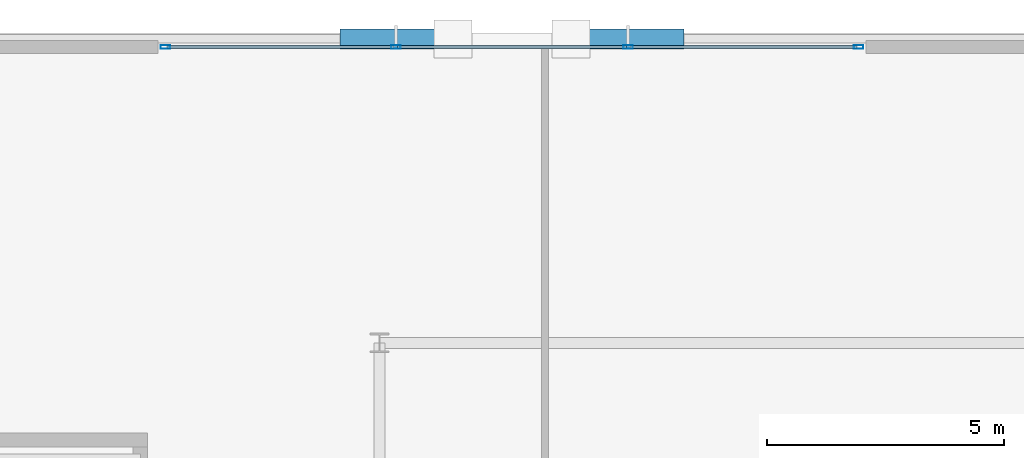
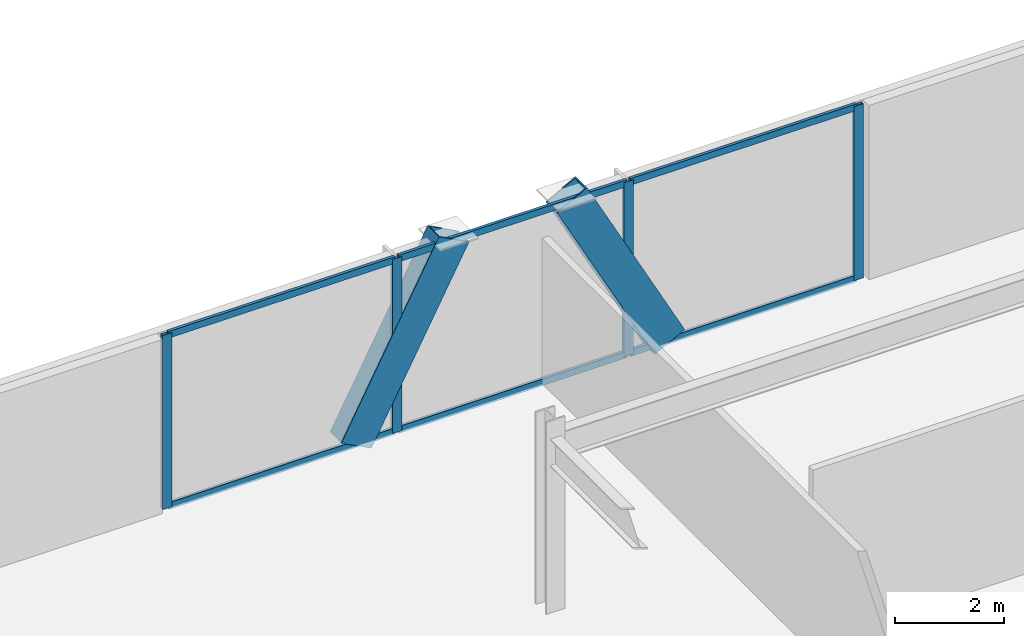
# One storey, part 28 of 46: 12 members, 1 element without a shape of its own.
"""IFC4 building model written with IfcOpenShell, lengths in metres."""

import ifcopenshell
import ifcopenshell.guid

model = None  # the IFC model being written
_history = None  # IfcOwnerHistory: only IFC2X3 demands one
_inside = {}  # id of a spatial element -> (the spatial element, [elements in it])
_under = {}  # id of a project, library or spatial element -> (it, [spatial elements below it])
_declared = {}  # id of a project -> (the project, [libraries it declares])
_typed = {}  # id of a type object -> (the type object, [elements of that type])
_made_of = {}  # id of a material, layer set ... -> (it, [elements and type objects made of it])


def new_model(schema):
    """Start an empty IFC model of exactly this schema.

    Asked for "IFC4X3", IfcOpenShell would pick the latest addendum, in which some entities
    have other attributes; the version numbers below select the first issue.
    IFC2X3 requires an IfcOwnerHistory on every rooted entity: one is made here for all.
    """
    global model, _history
    if schema == "IFC4X3":
        model = ifcopenshell.file(schema_version=(4, 3, 0, 0))
    else:
        model = ifcopenshell.file(schema=schema)
    _inside.clear()
    _under.clear()
    _declared.clear()
    _typed.clear()
    _made_of.clear()
    _history = None
    if model.schema == "IFC2X3":
        org = make("IfcOrganization", Name="unknown")
        user = make(
            "IfcPersonAndOrganization",
            ThePerson=make("IfcPerson", FamilyName="unknown"),
            TheOrganization=org,
        )
        app = make(
            "IfcApplication",
            ApplicationDeveloper=org,
            Version="unknown",
            ApplicationFullName="unknown",
            ApplicationIdentifier="unknown",
        )
        _history = make(
            "IfcOwnerHistory",
            OwningUser=user,
            OwningApplication=app,
            ChangeAction="ADDED",
            CreationDate=0,
        )
    return model


def make(cls, **values):
    """One entity of the class cls with the attributes given. An attribute that is None is left unset."""
    return model.create_entity(
        cls, **{name: value for name, value in values.items() if value is not None}
    )


def rooted(cls, **values):
    """An entity with a GlobalId (a new one), such as an element, a storey or a relation."""
    return make(cls, GlobalId=ifcopenshell.guid.new(), OwnerHistory=_history, **values)


def si_unit(unit_type, name, prefix=None):
    """IfcSIUnit, for example si_unit("LENGTHUNIT", "METRE", prefix="MILLI")."""
    return make("IfcSIUnit", UnitType=unit_type, Prefix=prefix, Name=name)


def assignment(units):
    """IfcUnitAssignment: the units of a project."""
    return None if units is None else make("IfcUnitAssignment", Units=units)


def point(xyz):
    """IfcCartesianPoint."""
    return None if xyz is None else make("IfcCartesianPoint", Coordinates=xyz)


def direction(xyz):
    """IfcDirection."""
    return None if xyz is None else make("IfcDirection", DirectionRatios=xyz)


def frame(location, z_axis=None, x_axis=None):
    """IfcAxis2Placement3D, a coordinate frame: its origin and axes. An axis left out is left unset."""
    return make(
        "IfcAxis2Placement3D",
        Location=point(location),
        Axis=direction(z_axis),
        RefDirection=direction(x_axis),
    )


def frame_2d(location, x_axis=None):
    """IfcAxis2Placement2D, a coordinate frame in the plane: its origin and x axis."""
    return make(
        "IfcAxis2Placement2D", Location=point(location), RefDirection=direction(x_axis)
    )


def origin():
    """The frame at (0, 0, 0) with its axes left unset."""
    return frame((0.0, 0.0, 0.0))


def origin_2d():
    """The frame at (0, 0) in the plane with its x axis left unset."""
    return frame_2d((0.0, 0.0))


def place(relative_to, where):
    """IfcLocalPlacement: puts the frame where relative to a parent placement (None: the world)."""
    return make(
        "IfcLocalPlacement", PlacementRelTo=relative_to, RelativePlacement=where
    )


def context(
    kind, dimensions, precision=None, world=None, true_north=None, identifier=None
):
    """IfcGeometricRepresentationContext, for example the 3D "Model" context."""
    return make(
        "IfcGeometricRepresentationContext",
        ContextIdentifier=identifier,
        ContextType=kind,
        CoordinateSpaceDimension=dimensions,
        Precision=precision,
        WorldCoordinateSystem=world,
        TrueNorth=true_north,
    )


def subcontext(parent, identifier, kind, view, scale=None):
    """IfcGeometricRepresentationSubContext, for example "Body" below "Model"."""
    return make(
        "IfcGeometricRepresentationSubContext",
        ContextIdentifier=identifier,
        ContextType=kind,
        ParentContext=parent,
        TargetScale=scale,
        TargetView=view,
    )


def project(units=None, contexts=None):
    """IfcProject with its units and contexts."""
    return rooted(
        "IfcProject",
        Name="project",
        RepresentationContexts=contexts,
        UnitsInContext=assignment(units),
    )


def spatial(cls, under=None, at=None, **own):
    """A site, building, storey or space (cls), placed at a placement, below another one or the project."""
    s = rooted(cls, ObjectPlacement=at, **own)
    if under is not None:
        _under.setdefault(under.id(), (under, []))[1].append(s)
    return s


def profile(cls, at=None, kind="AREA", **sizes):
    """A parametric profile (cls). Its sizes go by their IFC names, for example OverallWidth=200.0."""
    return make(cls, ProfileType=kind, Position=at, **sizes)


def hollow_rectangle(**sizes):
    """IfcRectangleHollowProfileDef."""
    return profile("IfcRectangleHollowProfileDef", **sizes)


def extrude(swept, where, along, depth):
    """IfcExtrudedAreaSolid: the profile swept, set in the frame where, extruded along a direction by depth."""
    return make(
        "IfcExtrudedAreaSolid",
        SweptArea=swept,
        Position=where,
        ExtrudedDirection=direction(along),
        Depth=depth,
    )


def shape(context_of_items, identifier, shape_type, items):
    """IfcShapeRepresentation: the items that make up one representation, for example the "Body"."""
    return make(
        "IfcShapeRepresentation",
        ContextOfItems=context_of_items,
        RepresentationIdentifier=identifier,
        RepresentationType=shape_type,
        Items=items,
    )


def material(Name=None, Category=None):
    """IfcMaterial."""
    return make("IfcMaterial", Name=Name, Category=Category)


def layer(
    of_material, thickness, ventilated=None, Name=None, Category=None, Priority=None
):
    """IfcMaterialLayer: one layer of a wall or slab, of a material (None: an air gap)."""
    return make(
        "IfcMaterialLayer",
        Material=of_material,
        LayerThickness=thickness,
        IsVentilated=ventilated,
        Name=Name,
        Category=Category,
        Priority=Priority,
    )


def layer_set(layers, Name=None):
    """IfcMaterialLayerSet."""
    return make("IfcMaterialLayerSet", MaterialLayers=layers, LayerSetName=Name)


def material_profile(
    of_material, cross_section, Name=None, Category=None, Priority=None
):
    """IfcMaterialProfile: a cross section and its material."""
    return make(
        "IfcMaterialProfile",
        Name=Name,
        Material=of_material,
        Profile=cross_section,
        Priority=Priority,
        Category=Category,
    )


def profile_set(profiles, Name=None, composite=None):
    """IfcMaterialProfileSet."""
    return make(
        "IfcMaterialProfileSet",
        Name=Name,
        MaterialProfiles=profiles,
        CompositeProfile=composite,
    )


def made_of(thing, what):
    """Note that an element or type object is made of a material, layer set ...; save() writes the relation."""
    if what is not None:
        _made_of.setdefault(what.id(), (what, []))[1].append(thing)
    return thing


def type_object(cls, material=None, **own):
    """A type object (cls), such as IfcWallType, which elements share."""
    return made_of(rooted(cls, **own), material)


def element(
    cls,
    number,
    at=None,
    inside=None,
    cuts=None,
    type_object=None,
    material=None,
    context=None,
    identifier="Body",
    shape_type=None,
    held_by="IfcProductDefinitionShape",
    body=None,
    shapes=None,
    **own,
):
    """One element of the class cls, such as IfcWall. Its Tag is "e" and its number.

    at: its placement. inside: the storey or other place that contains it. cuts: it is an
    opening in that element (IfcRelVoidsElement). A single representation is given by context,
    identifier, shape_type and body (its items); several are given by shapes. held_by: the class
    of the entity that holds the representations. save() writes the other relations.
    """
    e = rooted(cls, Tag="e%d" % number, ObjectPlacement=at, **own)
    if body is not None:
        shapes = [shape(context, identifier, shape_type, body)]
    if shapes is not None:
        e.Representation = make(held_by, Representations=shapes)
    if inside is not None:
        _inside.setdefault(inside.id(), (inside, []))[1].append(e)
    if cuts is not None:
        rooted(
            "IfcRelVoidsElement", RelatingBuildingElement=cuts, RelatedOpeningElement=e
        )
    if type_object is not None:
        _typed.setdefault(type_object.id(), (type_object, []))[1].append(e)
    return made_of(e, material)


def aggregate(whole, parts):
    """IfcRelAggregates: a whole, such as a stair, and the parts it consists of."""
    return rooted("IfcRelAggregates", RelatingObject=whole, RelatedObjects=parts)


def save(model, path):
    """Write the relations noted so far, then the file.

    IfcRelAggregates (storeys below a building ...), IfcRelContainedInSpatialStructure (elements
    in a storey), IfcRelDefinesByType, IfcRelAssociatesMaterial and IfcRelDeclares: one each for
    every whole, place, type object, material and project.
    """
    for whole, parts in _under.values():
        aggregate(whole, parts)
    for where, things in _inside.values():
        rooted(
            "IfcRelContainedInSpatialStructure",
            RelatedElements=things,
            RelatingStructure=where,
        )
    for kind, things in _typed.values():
        rooted("IfcRelDefinesByType", RelatedObjects=things, RelatingType=kind)
    for what, things in _made_of.values():
        rooted("IfcRelAssociatesMaterial", RelatedObjects=things, RelatingMaterial=what)
    for by, libraries in _declared.values():
        rooted("IfcRelDeclares", RelatingContext=by, RelatedDefinitions=libraries)
    model.write(path)


model = new_model("IFC4")

# Units and contexts
model_context = context("Model", 3, precision=1e-05, world=origin(), true_north=direction((0.0, 1.0)))
body_context = subcontext(model_context, "Body", "Model", "MODEL_VIEW")
ifc_project = project(units=[si_unit("LENGTHUNIT", "METRE"), si_unit("AREAUNIT", "SQUARE_METRE"), si_unit("VOLUMEUNIT", "CUBIC_METRE"), si_unit("PLANEANGLEUNIT", "RADIAN"), si_unit("MASSUNIT", "GRAM", prefix="KILO")], contexts=[model_context])

# Site, building, storey
site_placement = place(None, origin())
site = spatial("IfcSite", under=ifc_project, at=site_placement, CompositionType="ELEMENT")
building_placement = place(site_placement, origin())
building = spatial("IfcBuilding", under=site, at=building_placement, Name="Orvanel Arch Residences", CompositionType="ELEMENT")
storey_placement = place(building_placement, frame((0.0, 0.0, 14.10009765625)))
storey = spatial("IfcBuildingStorey", under=building, at=storey_placement, Name="L03", CompositionType="ELEMENT", Elevation=14.10009765625)

# Members
ifc_material_1 = material(Name="Structural steel AS/NZS 3678 Grade 350", Category="steel")
ifc_material_profile_1 = material_profile(ifc_material_1, hollow_rectangle(XDim=0.419921875, YDim=0.719970703125, WallThickness=0.02490234375, at=origin_2d()), Name="RHS720x420x25")
ifc_profile_set_1 = profile_set([ifc_material_profile_1], Name="Structural steel AS/NZS 3678 Grade 350")
member_type_1 = type_object("IfcMemberType", Name="BR-720RHS-EXT", PredefinedType="BRACE", material=ifc_profile_set_1)
for number, where, z_axis, x_axis, name in (
    (1, (19.281005859375, 54.419921875, 0.0), (0.468672654972, 0.0, 0.883371916285), (0.0, 1.0, 0.0), "L03 Podium Multi-Storey V-Strut Pair N1 Leg 2"),
    (2, (25.9189453125, 54.419921875, 0.0), (-0.468629499689, 0.0, 0.883394810955), (0.0, -1.0, 0.0), "L03 Podium Multi-Storey V-Strut Pair N2 Leg 1"),
):
    element("IfcMember", number, at=place(storey_placement, frame(where, z_axis=z_axis, x_axis=x_axis)), inside=storey, type_object=member_type_1, Name=name, PredefinedType="BRACE", context=body_context, shape_type="SweptSolid", body=[
        extrude(hollow_rectangle(XDim=0.419921875, YDim=0.719970703125, WallThickness=0.02490234375, at=origin_2d()), origin(), (0.0, 0.0, 1.0), 4.414794921875),
    ])

# Curtain wall, members
ifc_material_2 = material(Name="Bronze-anodised aluminium AA6063-T6", Category="aluminium")
ifc_layer = layer(ifc_material_2, 0.199951171875)
ifc_layer_set = layer_set([ifc_layer], Name="Bronze-anodised aluminium AA6063-T6")
curtain_wall_type = type_object("IfcCurtainWallType", Name="CW1-POD-SYS", PredefinedType="NOTDEFINED", material=ifc_layer_set)
curtain_wall_placement = place(storey_placement, origin())
curtain_wall = element("IfcCurtainWall", 3, at=curtain_wall_placement, inside=storey, type_object=curtain_wall_type, Name="L03 CW1-POD-SYS Unitised Curtain Wall", PredefinedType="NOTDEFINED")
ifc_material_profile_2 = material_profile(ifc_material_2, hollow_rectangle(XDim=0.074951171875, YDim=0.199951171875, WallThickness=0.0048828125, at=origin_2d()), Name="ALU200x75x5")
ifc_profile_set_2 = profile_set([ifc_material_profile_2], Name="Bronze-anodised aluminium AA6063-T6")
member_type_2 = type_object("IfcMemberType", Name="MUL-200x75", PredefinedType="MULLION", material=ifc_profile_set_2)
member_1_placement = place(storey_placement, frame((29.922607421875, 54.25, 0.0), z_axis=(0.0, 0.0, 1.0), x_axis=(0.0, -1.0, 0.0)))
member_1 = element("IfcMember", 4, at=member_1_placement, type_object=member_type_2, Name="CW-S1 mullion 1", PredefinedType="MULLION", context=body_context, shape_type="SweptSolid", body=[
    extrude(hollow_rectangle(XDim=0.074951171875, YDim=0.199951171875, WallThickness=0.0048828125, at=origin_2d()), origin(), (0.0, 0.0, 1.0), 3.89990234375),
])
member_2_placement = place(storey_placement, frame((25.05322265625, 54.25, 0.0), z_axis=(0.0, 0.0, 1.0), x_axis=(0.0, -1.0, 0.0)))
member_2 = element("IfcMember", 5, at=member_2_placement, type_object=member_type_2, Name="CW-S1 mullion 2", PredefinedType="MULLION", context=body_context, shape_type="SweptSolid", body=[
    extrude(hollow_rectangle(XDim=0.074951171875, YDim=0.199951171875, WallThickness=0.0048828125, at=origin_2d()), origin(), (0.0, 0.0, 1.0), 3.89990234375),
])
member_3_placement = place(storey_placement, frame((20.146728515625, 54.25, 0.0), z_axis=(0.0, 0.0, 1.0), x_axis=(0.0, -1.0, 0.0)))
member_3 = element("IfcMember", 6, at=member_3_placement, type_object=member_type_2, Name="CW-S1 mullion 3", PredefinedType="MULLION", context=body_context, shape_type="SweptSolid", body=[
    extrude(hollow_rectangle(XDim=0.074951171875, YDim=0.199951171875, WallThickness=0.0048828125, at=origin_2d()), origin(), (0.0, 0.0, 1.0), 3.89990234375),
])
member_4_placement = place(storey_placement, frame((15.277587890625, 54.25, 0.0), z_axis=(0.0, 0.0, 1.0), x_axis=(0.0, -1.0, 0.0)))
member_4 = element("IfcMember", 7, at=member_4_placement, type_object=member_type_2, Name="CW-S1 mullion 4", PredefinedType="MULLION", context=body_context, shape_type="SweptSolid", body=[
    extrude(hollow_rectangle(XDim=0.074951171875, YDim=0.199951171875, WallThickness=0.0048828125, at=origin_2d()), origin(), (0.0, 0.0, 1.0), 3.89990234375),
])
ifc_material_profile_3 = material_profile(ifc_material_2, hollow_rectangle(XDim=0.06494140625, YDim=0.14990234375, WallThickness=0.00390625, at=origin_2d()), Name="ALU150x65x4")
ifc_profile_set_3 = profile_set([ifc_material_profile_3], Name="Bronze-anodised aluminium AA6063-T6")
member_type_3 = type_object("IfcMemberType", Name="TRN-150x65", PredefinedType="USERDEFINED", material=ifc_profile_set_3)
member_5_placement = place(storey_placement, frame((29.885009765625, 54.25, 0.032470703125), z_axis=(-1.0, 0.0, 0.0), x_axis=(0.0, -1.0, 0.0)))
member_5 = element("IfcMember", 8, at=member_5_placement, type_object=member_type_3, Name="CW-S1 transom 1.1", ObjectType="TRANSOM", PredefinedType="USERDEFINED", context=body_context, shape_type="SweptSolid", body=[
    extrude(hollow_rectangle(XDim=0.06494140625, YDim=0.14990234375, WallThickness=0.00390625, at=origin_2d()), origin(), (0.0, 0.0, 1.0), 4.794189453125),
])
member_6_placement = place(storey_placement, frame((29.885009765625, 54.25, 3.867431640625), z_axis=(-1.0, 0.0, 0.0), x_axis=(0.0, -1.0, 0.0)))
member_6 = element("IfcMember", 9, at=member_6_placement, type_object=member_type_3, Name="CW-S1 transom 1.2", ObjectType="TRANSOM", PredefinedType="USERDEFINED", context=body_context, shape_type="SweptSolid", body=[
    extrude(hollow_rectangle(XDim=0.06494140625, YDim=0.14990234375, WallThickness=0.00390625, at=origin_2d()), origin(), (0.0, 0.0, 1.0), 4.794189453125),
])
member_7_placement = place(storey_placement, frame((25.015869140625, 54.25, 0.032470703125), z_axis=(-1.0, 0.0, 0.0), x_axis=(0.0, -1.0, 0.0)))
member_7 = element("IfcMember", 10, at=member_7_placement, type_object=member_type_3, Name="CW-S1 transom 2.1", ObjectType="TRANSOM", PredefinedType="USERDEFINED", context=body_context, shape_type="SweptSolid", body=[
    extrude(hollow_rectangle(XDim=0.06494140625, YDim=0.14990234375, WallThickness=0.00390625, at=origin_2d()), origin(), (0.0, 0.0, 1.0), 4.831787109375),
])
member_8_placement = place(storey_placement, frame((25.015869140625, 54.25, 3.867431640625), z_axis=(-1.0, 0.0, 0.0), x_axis=(0.0, -1.0, 0.0)))
member_8 = element("IfcMember", 11, at=member_8_placement, type_object=member_type_3, Name="CW-S1 transom 2.2", ObjectType="TRANSOM", PredefinedType="USERDEFINED", context=body_context, shape_type="SweptSolid", body=[
    extrude(hollow_rectangle(XDim=0.06494140625, YDim=0.14990234375, WallThickness=0.00390625, at=origin_2d()), origin(), (0.0, 0.0, 1.0), 4.831787109375),
])
member_9_placement = place(storey_placement, frame((20.109130859375, 54.25, 0.032470703125), z_axis=(-1.0, 0.0, 0.0), x_axis=(0.0, -1.0, 0.0)))
member_9 = element("IfcMember", 12, at=member_9_placement, type_object=member_type_3, Name="CW-S1 transom 3.1", ObjectType="TRANSOM", PredefinedType="USERDEFINED", context=body_context, shape_type="SweptSolid", body=[
    extrude(hollow_rectangle(XDim=0.06494140625, YDim=0.14990234375, WallThickness=0.00390625, at=origin_2d()), origin(), (0.0, 0.0, 1.0), 4.794189453125),
])
member_10_placement = place(storey_placement, frame((20.109130859375, 54.25, 3.867431640625), z_axis=(-1.0, 0.0, 0.0), x_axis=(0.0, -1.0, 0.0)))
member_10 = element("IfcMember", 13, at=member_10_placement, type_object=member_type_3, Name="CW-S1 transom 3.2", ObjectType="TRANSOM", PredefinedType="USERDEFINED", context=body_context, shape_type="SweptSolid", body=[
    extrude(hollow_rectangle(XDim=0.06494140625, YDim=0.14990234375, WallThickness=0.00390625, at=origin_2d()), origin(), (0.0, 0.0, 1.0), 4.794189453125),
])
aggregate(curtain_wall, [member_1, member_2, member_3, member_4, member_5, member_6, member_7, member_8, member_9, member_10])

save(model, "model.ifc")
